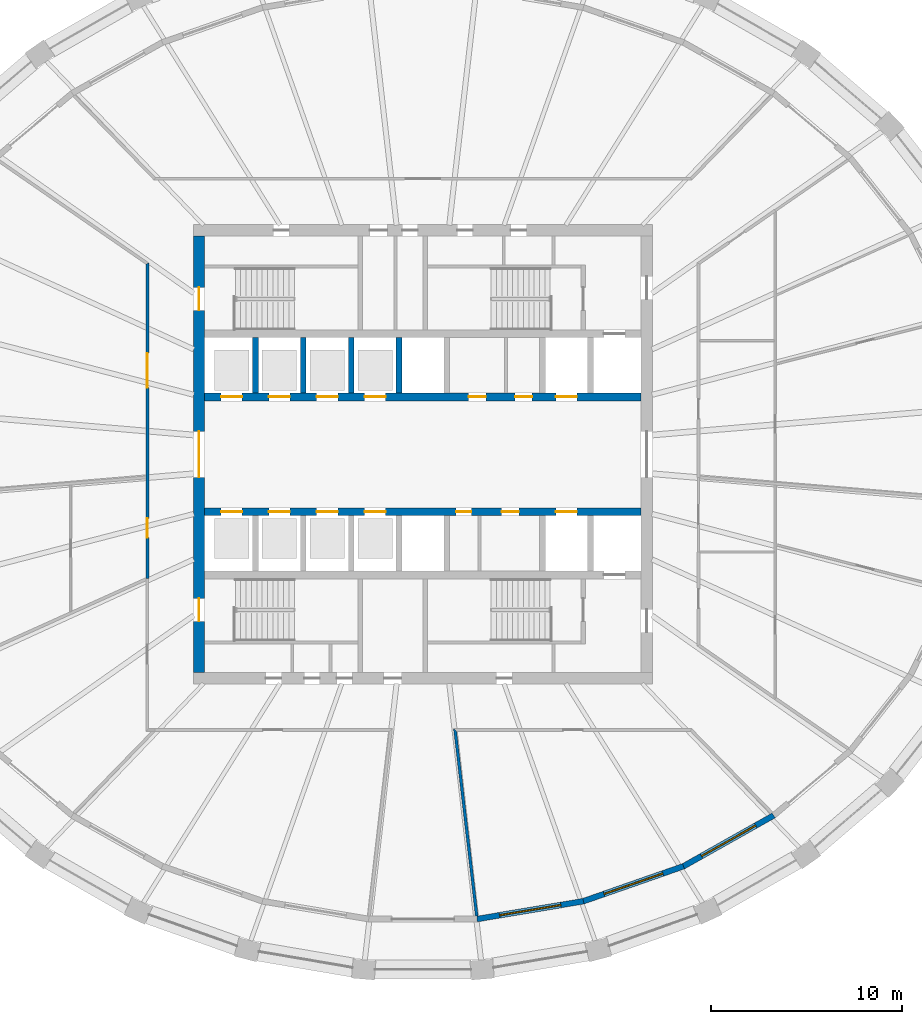
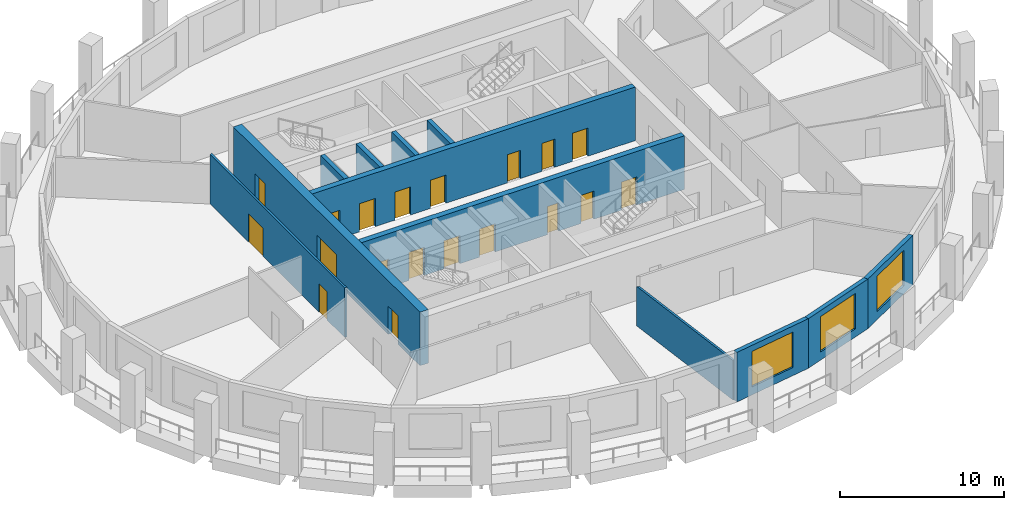
# One storey, part 4 of 11: 19 doors, 12 walls, 3 windows, 22 openings.
"""IFC4 building model written with IfcOpenShell, lengths in metres."""

from ifc_helpers import new_model, si_unit, direction, frame, frame_2d, origin, place, context, subcontext, project, spatial, polyline, rectangle, outline, extrude, material, layer, layer_set, type_object, element, fill, save


model = new_model("IFC4")

# Units and contexts
model_context = context("Model", 3, precision=1e-05, world=origin(), true_north=direction((0.0, 1.0)))
body_context = subcontext(model_context, "Body", "Model", "MODEL_VIEW")
ifc_project = project(units=[si_unit("LENGTHUNIT", "METRE"), si_unit("AREAUNIT", "SQUARE_METRE"), si_unit("VOLUMEUNIT", "CUBIC_METRE"), si_unit("PLANEANGLEUNIT", "RADIAN"), si_unit("MASSUNIT", "GRAM", prefix="KILO")], contexts=[model_context])

# Site, building, storey
site_placement = place(None, origin())
site = spatial("IfcSite", under=ifc_project, at=site_placement, CompositionType="ELEMENT")
building_placement = place(site_placement, origin())
building = spatial("IfcBuilding", under=site, at=building_placement, Name="Halqa Exchange Tower", CompositionType="ELEMENT")
storey_placement = place(building_placement, frame((0.0, 0.0, 226.89990234375)))
storey = spatial("IfcBuildingStorey", under=building, at=storey_placement, Name="L52", CompositionType="ELEMENT", Elevation=226.89990234375)

# Wall, openings, doors
ifc_material_1 = material(Name="Fire-rated gypsum board")
ifc_layer_1 = layer(ifc_material_1, 0.14990234375)
ifc_layer_set_1 = layer_set([ifc_layer_1], Name="Fire-rated gypsum board")
wall_type_1 = type_object("IfcWallType", Name="Fire partition EI 60 150", PredefinedType="PARTITIONING", material=ifc_layer_set_1)
wall_1_placement = place(storey_placement, frame((-14.39990234375, -6.489990234375, 0.0), z_axis=(0.0, 0.0, 1.0), x_axis=(0.0, 1.0, 0.0)))
wall_1 = element("IfcWall", 1, at=wall_1_placement, inside=storey, type_object=wall_type_1, Name="L52-PWL-006", PredefinedType="PARTITIONING", context=body_context, shape_type="SweptSolid", body=[
    extrude(outline(polyline([(16.499267578125, -0.074951171875), (16.499267578125, -0.07470703125), (16.420654296875, 0.074951171875), (14.59619140625, 0.074951171875), (12.771728515625, 0.074951171875), (10.947265625, 0.074951171875), (9.12255859375, 0.074951171875), (7.298095703125, 0.074951171875), (5.4736328125, 0.074951171875), (3.649169921875, 0.074951171875), (1.824462890625, 0.074951171875), (0.0, 0.074951171875), (0.0, -0.074951171875), (1.833251953125, -0.074951171875), (3.66650390625, -0.074951171875), (5.499755859375, -0.074951171875), (7.3330078125, -0.074951171875), (9.166259765625, -0.074951171875), (10.99951171875, -0.074951171875), (12.832763671875, -0.074951171875), (14.666015625, -0.074951171875), (16.499267578125, -0.074951171875)])), origin(), (0.0, 0.0, 1.0), 3.7001953125),
])
opening_1_placement = place(wall_1_placement, frame((9.97509765625, 0.0, 0.0)))
opening_1 = element("IfcOpeningElement", 2, at=opening_1_placement, cuts=wall_1, Name="Opening 16-02", PredefinedType="OPENING", context=body_context, shape_type="SweptSolid", body=[
    extrude(rectangle(XDim=1.800048828125, YDim=2.10009765625, at=frame_2d((0.89990234375, 1.050048828125))), frame((0.0, 0.0869140625, 0.0), z_axis=(0.0, -1.0, 0.0), x_axis=(1.0, 0.0, 0.0)), (0.0, 0.0, 1.0), 0.173828125),
])
opening_2_placement = place(wall_1_placement, frame((2.14501953125, 0.0, 0.0)))
opening_2 = element("IfcOpeningElement", 3, at=opening_2_placement, cuts=wall_1, Name="Opening 16-03", PredefinedType="OPENING", context=body_context, shape_type="SweptSolid", body=[
    extrude(rectangle(XDim=1.0, YDim=2.10009765625, at=frame_2d((0.5, 1.050048828125))), frame((0.0, 0.0869140625, 0.0), z_axis=(0.0, -1.0, 0.0), x_axis=(1.0, 0.0, 0.0)), (0.0, 0.0, 1.0), 0.173828125),
])
ifc_material_2 = material(Name="Steel fire door leaf", Category="steel")
door_type_1 = type_object("IfcDoorType", Name="Fire door FD30S 1000 x 2100", OperationType="SINGLE_SWING_LEFT", PredefinedType="DOOR", material=ifc_material_2)
door_1_placement = place(opening_2_placement, origin())
door_1 = element("IfcDoor", 4, at=door_1_placement, inside=storey, type_object=door_type_1, Name="L52-IDR-003", OperationType="SINGLE_SWING_RIGHT", OverallHeight=2.10009765625, OverallWidth=1.0, PredefinedType="DOOR", context=body_context, shape_type="SweptSolid", body=[
    extrude(rectangle(XDim=1.0, YDim=2.10009765625, at=frame_2d((0.5, 1.050048828125))), frame((0.0, 0.02490234375, 0.0), z_axis=(0.0, -1.0, 0.0), x_axis=(1.0, 0.0, 0.0)), (0.0, 0.0, 1.0), 0.050048828125),
])
fill(opening_2, door_1)
door_type_2 = type_object("IfcDoorType", Name="Fire door FD30S double 1800 x 2100", OperationType="DOUBLE_DOOR_SINGLE_SWING", PredefinedType="DOOR", material=ifc_material_2)
door_2_placement = place(opening_1_placement, origin())
door_2 = element("IfcDoor", 5, at=door_2_placement, inside=storey, type_object=door_type_2, Name="L52-IDR-002", OperationType="DOUBLE_DOOR_SINGLE_SWING", OverallHeight=2.10009765625, OverallWidth=1.800048828125, PredefinedType="DOOR", context=body_context, shape_type="SweptSolid", body=[
    extrude(rectangle(XDim=1.800048828125, YDim=2.10009765625, at=frame_2d((0.89990234375, 1.050048828125))), frame((0.0, 0.02490234375, 0.0), z_axis=(0.0, -1.0, 0.0), x_axis=(1.0, 0.0, 0.0)), (0.0, 0.0, 1.0), 0.050048828125),
])
fill(opening_1, door_2)

# Walls
wall_2_placement = place(storey_placement, frame((1.670166015625, -14.31640625, 0.0), z_axis=(0.0, 0.0, 1.0), x_axis=(0.115875821394, -0.993263708195, 0.0)))
element("IfcWall", 6, at=wall_2_placement, inside=storey, type_object=wall_type_1, Name="L52-PWL-013", PredefinedType="PARTITIONING", context=body_context, shape_type="SweptSolid", body=[
    extrude(outline(polyline([(0.0, -0.074951171875), (1.973876953125, -0.074951171875), (3.947998046875, -0.074951171875), (5.921875, -0.074951171875), (7.895751953125, -0.074951171875), (9.869873046875, -0.074951171875), (9.875, -0.0302734375), (9.875, 0.074951171875), (7.93359375, 0.074951171875), (5.992431640625, 0.074951171875), (4.051025390625, 0.074951171875), (2.109619140625, 0.074951171875), (0.168212890625, 0.074951171875), (0.084228515625, 0.0), (0.0, -0.074951171875), (0.0, -0.074951171875)])), origin(), (0.0, 0.0, 1.0), 2.947021484375),
])
ifc_material_3 = material(Name="Concrete C60/75", Category="concrete")
ifc_layer_2 = layer(ifc_material_3, 0.300048828125)
ifc_layer_set_2 = layer_set([ifc_layer_2], Name="Concrete C60/75")
wall_type_2 = type_object("IfcWallType", Name="RC core wall 300", PredefinedType="SHEAR", material=ifc_layer_set_2)
for number, where, z_axis, x_axis, name in (
    (7, (-8.75, 3.199951171875, 0.0), (0.0, 0.0, 1.0), (0.0, 1.0, 0.0), "Shaft divider N1"),
    (8, (-6.25, 3.199951171875, 0.0), (0.0, 0.0, 1.0), (0.0, 1.0, 0.0), "Shaft divider N2"),
    (9, (-3.75, 3.199951171875, 0.0), (0.0, 0.0, 1.0), (0.0, 1.0, 0.0), "Shaft divider N3"),
    (10, (-1.25, 3.199951171875, 0.0), (0.0, 0.0, 1.0), (0.0, 1.0, 0.0), "Shaft divider N4"),
):
    element("IfcWall", number, at=place(storey_placement, frame(where, z_axis=z_axis, x_axis=x_axis)), inside=storey, type_object=wall_type_2, Name=name, PredefinedType="SHEAR", context=body_context, shape_type="SweptSolid", body=[
        extrude(rectangle(XDim=2.900146484375, YDim=0.300048828125, at=frame_2d((1.4501953125, 0.0))), origin(), (0.0, 0.0, 1.0), 4.0),
    ])

# Wall, openings, doors
ifc_material_4 = material(Name="Concrete C70/85", Category="concrete")
ifc_layer_3 = layer(ifc_material_4, 0.39990234375)
ifc_layer_set_3 = layer_set([ifc_layer_3], Name="Concrete C70/85")
wall_type_3 = type_object("IfcWallType", Name="RC core wall 400 C70/85", PredefinedType="SHEAR", material=ifc_layer_set_3)
wall_3_placement = place(storey_placement, frame((-11.39990234375, 3.0, 0.0), z_axis=(0.0, 0.0, 1.0), x_axis=(1.0, 0.0, 0.0)))
wall_3 = element("IfcWall", 11, at=wall_3_placement, inside=storey, type_object=wall_type_3, Name="Lift row front wall N", PredefinedType="SHEAR", context=body_context, shape_type="SweptSolid", body=[
    extrude(rectangle(XDim=22.7998046875, YDim=0.39990234375, at=frame_2d((11.39990234375, 0.0))), origin(), (0.0, 0.0, 1.0), 4.0),
])
opening_3_placement = place(wall_3_placement, frame((0.85009765625, 0.0, 0.0)))
opening_3 = element("IfcOpeningElement", 12, at=opening_3_placement, cuts=wall_3, Name="Opening LD-HR1-T16", PredefinedType="OPENING", context=body_context, shape_type="SweptSolid", body=[
    extrude(rectangle(XDim=1.10009765625, YDim=2.10009765625, at=frame_2d((0.550048828125, 1.050048828125))), frame((0.0, 0.2119140625, 0.0), z_axis=(0.0, -1.0, 0.0), x_axis=(1.0, 0.0, 0.0)), (0.0, 0.0, 1.0), 0.423828125),
])
opening_4_placement = place(wall_3_placement, frame((3.35009765625, 0.0, 0.0)))
opening_4 = element("IfcOpeningElement", 13, at=opening_4_placement, cuts=wall_3, Name="Opening LD-HR2-T16", PredefinedType="OPENING", context=body_context, shape_type="SweptSolid", body=[
    extrude(rectangle(XDim=1.10009765625, YDim=2.10009765625, at=frame_2d((0.550048828125, 1.050048828125))), frame((0.0, 0.2119140625, 0.0), z_axis=(0.0, -1.0, 0.0), x_axis=(1.0, 0.0, 0.0)), (0.0, 0.0, 1.0), 0.423828125),
])
opening_5_placement = place(wall_3_placement, frame((5.85009765625, 0.0, 0.0)))
opening_5 = element("IfcOpeningElement", 14, at=opening_5_placement, cuts=wall_3, Name="Opening LD-MR1-T16", PredefinedType="OPENING", context=body_context, shape_type="SweptSolid", body=[
    extrude(rectangle(XDim=1.10009765625, YDim=2.10009765625, at=frame_2d((0.550048828125, 1.050048828125))), frame((0.0, 0.2119140625, 0.0), z_axis=(0.0, -1.0, 0.0), x_axis=(1.0, 0.0, 0.0)), (0.0, 0.0, 1.0), 0.423828125),
])
opening_6_placement = place(wall_3_placement, frame((8.35009765625, 0.0, 0.0)))
opening_6 = element("IfcOpeningElement", 15, at=opening_6_placement, cuts=wall_3, Name="Opening LD-MR2-T16", PredefinedType="OPENING", context=body_context, shape_type="SweptSolid", body=[
    extrude(rectangle(XDim=1.10009765625, YDim=2.10009765625, at=frame_2d((0.550048828125, 1.050048828125))), frame((0.0, 0.2119140625, 0.0), z_axis=(0.0, -1.0, 0.0), x_axis=(1.0, 0.0, 0.0)), (0.0, 0.0, 1.0), 0.423828125),
])
opening_7_placement = place(wall_3_placement, frame((18.35009765625, 0.0, 0.0)))
opening_7 = element("IfcOpeningElement", 16, at=opening_7_placement, cuts=wall_3, Name="Opening LD-SV1-T16", PredefinedType="OPENING", context=body_context, shape_type="SweptSolid", body=[
    extrude(rectangle(XDim=1.10009765625, YDim=2.10009765625, at=frame_2d((0.550048828125, 1.050048828125))), frame((0.0, 0.2119140625, 0.0), z_axis=(0.0, -1.0, 0.0), x_axis=(1.0, 0.0, 0.0)), (0.0, 0.0, 1.0), 0.423828125),
])
opening_8_placement = place(wall_3_placement, frame((13.78759765625, 0.0, 0.0)))
opening_8 = element("IfcOpeningElement", 17, at=opening_8_placement, cuts=wall_3, Name="Opening T16-C31", PredefinedType="OPENING", context=body_context, shape_type="SweptSolid", body=[
    extrude(rectangle(XDim=0.89990234375, YDim=2.10009765625, at=frame_2d((0.449951171875, 1.050048828125))), frame((0.0, 0.2119140625, 0.0), z_axis=(0.0, -1.0, 0.0), x_axis=(1.0, 0.0, 0.0)), (0.0, 0.0, 1.0), 0.423828125),
])
opening_9_placement = place(wall_3_placement, frame((16.21240234375, 0.0, 0.0)))
opening_9 = element("IfcOpeningElement", 18, at=opening_9_placement, cuts=wall_3, Name="Opening T16-C32", PredefinedType="OPENING", context=body_context, shape_type="SweptSolid", body=[
    extrude(rectangle(XDim=0.89990234375, YDim=2.10009765625, at=frame_2d((0.449951171875, 1.050048828125))), frame((0.0, 0.2119140625, 0.0), z_axis=(0.0, -1.0, 0.0), x_axis=(1.0, 0.0, 0.0)), (0.0, 0.0, 1.0), 0.423828125),
])
ifc_material_5 = material(Name="Timber fire door leaf", Category="wood")
door_type_3 = type_object("IfcDoorType", Name="Core room door FD30 900 x 2100", OperationType="SINGLE_SWING_LEFT", PredefinedType="DOOR", material=ifc_material_5)
door_3_placement = place(opening_8_placement, origin())
door_3 = element("IfcDoor", 19, at=door_3_placement, inside=storey, type_object=door_type_3, Name="Core room door", OperationType="SINGLE_SWING_RIGHT", OverallHeight=2.10009765625, OverallWidth=0.89990234375, PredefinedType="DOOR", context=body_context, shape_type="SweptSolid", body=[
    extrude(rectangle(XDim=0.89990234375, YDim=2.10009765625, at=frame_2d((0.449951171875, 1.050048828125))), frame((0.0, 0.02490234375, 0.0), z_axis=(0.0, -1.0, 0.0), x_axis=(1.0, 0.0, 0.0)), (0.0, 0.0, 1.0), 0.050048828125),
])
fill(opening_8, door_3)
door_4_placement = place(opening_9_placement, origin())
door_4 = element("IfcDoor", 20, at=door_4_placement, inside=storey, type_object=door_type_3, Name="Core room door", OperationType="SINGLE_SWING_RIGHT", OverallHeight=2.10009765625, OverallWidth=0.89990234375, PredefinedType="DOOR", context=body_context, shape_type="SweptSolid", body=[
    extrude(rectangle(XDim=0.89990234375, YDim=2.10009765625, at=frame_2d((0.449951171875, 1.050048828125))), frame((0.0, 0.02490234375, 0.0), z_axis=(0.0, -1.0, 0.0), x_axis=(1.0, 0.0, 0.0)), (0.0, 0.0, 1.0), 0.050048828125),
])
fill(opening_9, door_4)
ifc_material_6 = material(Name="Stainless steel", Category="steel")
door_type_4 = type_object("IfcDoorType", Name="Lift landing door 1100 x 2100", OperationType="SLIDING_TO_LEFT", PredefinedType="DOOR", material=ifc_material_6)
door_5_placement = place(opening_3_placement, origin())
door_5 = element("IfcDoor", 21, at=door_5_placement, inside=storey, type_object=door_type_4, Name="Lift landing door HR1", OperationType="SLIDING_TO_LEFT", OverallHeight=2.10009765625, OverallWidth=1.10009765625, PredefinedType="DOOR", context=body_context, shape_type="SweptSolid", body=[
    extrude(rectangle(XDim=1.10009765625, YDim=2.10009765625, at=frame_2d((0.550048828125, 1.050048828125))), frame((0.0, 0.02490234375, 0.0), z_axis=(0.0, -1.0, 0.0), x_axis=(1.0, 0.0, 0.0)), (0.0, 0.0, 1.0), 0.050048828125),
])
fill(opening_3, door_5)
door_6_placement = place(opening_4_placement, origin())
door_6 = element("IfcDoor", 22, at=door_6_placement, inside=storey, type_object=door_type_4, Name="Lift landing door HR2", OperationType="SLIDING_TO_LEFT", OverallHeight=2.10009765625, OverallWidth=1.10009765625, PredefinedType="DOOR", context=body_context, shape_type="SweptSolid", body=[
    extrude(rectangle(XDim=1.10009765625, YDim=2.10009765625, at=frame_2d((0.550048828125, 1.050048828125))), frame((0.0, 0.02490234375, 0.0), z_axis=(0.0, -1.0, 0.0), x_axis=(1.0, 0.0, 0.0)), (0.0, 0.0, 1.0), 0.050048828125),
])
fill(opening_4, door_6)
door_7_placement = place(opening_5_placement, origin())
door_7 = element("IfcDoor", 23, at=door_7_placement, inside=storey, type_object=door_type_4, Name="Lift landing door MR1", OperationType="SLIDING_TO_LEFT", OverallHeight=2.10009765625, OverallWidth=1.10009765625, PredefinedType="DOOR", context=body_context, shape_type="SweptSolid", body=[
    extrude(rectangle(XDim=1.10009765625, YDim=2.10009765625, at=frame_2d((0.550048828125, 1.050048828125))), frame((0.0, 0.02490234375, 0.0), z_axis=(0.0, -1.0, 0.0), x_axis=(1.0, 0.0, 0.0)), (0.0, 0.0, 1.0), 0.050048828125),
])
fill(opening_5, door_7)
door_8_placement = place(opening_6_placement, origin())
door_8 = element("IfcDoor", 24, at=door_8_placement, inside=storey, type_object=door_type_4, Name="Lift landing door MR2", OperationType="SLIDING_TO_LEFT", OverallHeight=2.10009765625, OverallWidth=1.10009765625, PredefinedType="DOOR", context=body_context, shape_type="SweptSolid", body=[
    extrude(rectangle(XDim=1.10009765625, YDim=2.10009765625, at=frame_2d((0.550048828125, 1.050048828125))), frame((0.0, 0.02490234375, 0.0), z_axis=(0.0, -1.0, 0.0), x_axis=(1.0, 0.0, 0.0)), (0.0, 0.0, 1.0), 0.050048828125),
])
fill(opening_6, door_8)
door_9_placement = place(opening_7_placement, origin())
door_9 = element("IfcDoor", 25, at=door_9_placement, inside=storey, type_object=door_type_4, Name="Lift landing door SV1", OperationType="SLIDING_TO_LEFT", OverallHeight=2.10009765625, OverallWidth=1.10009765625, PredefinedType="DOOR", context=body_context, shape_type="SweptSolid", body=[
    extrude(rectangle(XDim=1.10009765625, YDim=2.10009765625, at=frame_2d((0.550048828125, 1.050048828125))), frame((0.0, 0.02490234375, 0.0), z_axis=(0.0, -1.0, 0.0), x_axis=(1.0, 0.0, 0.0)), (0.0, 0.0, 1.0), 0.050048828125),
])
fill(opening_7, door_9)

wall_4_placement = place(storey_placement, frame((-11.39990234375, -3.0, 0.0), z_axis=(0.0, 0.0, 1.0), x_axis=(1.0, 0.0, 0.0)))
wall_4 = element("IfcWall", 26, at=wall_4_placement, inside=storey, type_object=wall_type_3, Name="Lift row front wall S", PredefinedType="SHEAR", context=body_context, shape_type="SweptSolid", body=[
    extrude(rectangle(XDim=22.7998046875, YDim=0.39990234375, at=frame_2d((11.39990234375, 0.0))), origin(), (0.0, 0.0, 1.0), 4.0),
])
opening_10_placement = place(wall_4_placement, frame((0.85009765625, 0.0, 0.0)))
opening_10 = element("IfcOpeningElement", 27, at=opening_10_placement, cuts=wall_4, Name="Opening LD-HR3-T16", PredefinedType="OPENING", context=body_context, shape_type="SweptSolid", body=[
    extrude(rectangle(XDim=1.10009765625, YDim=2.10009765625, at=frame_2d((0.550048828125, 1.050048828125))), frame((0.0, 0.2119140625, 0.0), z_axis=(0.0, -1.0, 0.0), x_axis=(1.0, 0.0, 0.0)), (0.0, 0.0, 1.0), 0.423828125),
])
opening_11_placement = place(wall_4_placement, frame((3.35009765625, 0.0, 0.0)))
opening_11 = element("IfcOpeningElement", 28, at=opening_11_placement, cuts=wall_4, Name="Opening LD-HR4-T16", PredefinedType="OPENING", context=body_context, shape_type="SweptSolid", body=[
    extrude(rectangle(XDim=1.10009765625, YDim=2.10009765625, at=frame_2d((0.550048828125, 1.050048828125))), frame((0.0, 0.2119140625, 0.0), z_axis=(0.0, -1.0, 0.0), x_axis=(1.0, 0.0, 0.0)), (0.0, 0.0, 1.0), 0.423828125),
])
opening_12_placement = place(wall_4_placement, frame((5.85009765625, 0.0, 0.0)))
opening_12 = element("IfcOpeningElement", 29, at=opening_12_placement, cuts=wall_4, Name="Opening LD-MR3-T16", PredefinedType="OPENING", context=body_context, shape_type="SweptSolid", body=[
    extrude(rectangle(XDim=1.10009765625, YDim=2.10009765625, at=frame_2d((0.550048828125, 1.050048828125))), frame((0.0, 0.2119140625, 0.0), z_axis=(0.0, -1.0, 0.0), x_axis=(1.0, 0.0, 0.0)), (0.0, 0.0, 1.0), 0.423828125),
])
opening_13_placement = place(wall_4_placement, frame((8.35009765625, 0.0, 0.0)))
opening_13 = element("IfcOpeningElement", 30, at=opening_13_placement, cuts=wall_4, Name="Opening LD-MR4-T16", PredefinedType="OPENING", context=body_context, shape_type="SweptSolid", body=[
    extrude(rectangle(XDim=1.10009765625, YDim=2.10009765625, at=frame_2d((0.550048828125, 1.050048828125))), frame((0.0, 0.2119140625, 0.0), z_axis=(0.0, -1.0, 0.0), x_axis=(1.0, 0.0, 0.0)), (0.0, 0.0, 1.0), 0.423828125),
])
opening_14_placement = place(wall_4_placement, frame((18.35009765625, 0.0, 0.0)))
opening_14 = element("IfcOpeningElement", 31, at=opening_14_placement, cuts=wall_4, Name="Opening LD-SV2-T16", PredefinedType="OPENING", context=body_context, shape_type="SweptSolid", body=[
    extrude(rectangle(XDim=1.10009765625, YDim=2.10009765625, at=frame_2d((0.550048828125, 1.050048828125))), frame((0.0, 0.2119140625, 0.0), z_axis=(0.0, -1.0, 0.0), x_axis=(1.0, 0.0, 0.0)), (0.0, 0.0, 1.0), 0.423828125),
])
opening_15_placement = place(wall_4_placement, frame((13.137451171875, 0.0, 0.0)))
opening_15 = element("IfcOpeningElement", 32, at=opening_15_placement, cuts=wall_4, Name="Opening T16-C33", PredefinedType="OPENING", context=body_context, shape_type="SweptSolid", body=[
    extrude(rectangle(XDim=0.800048828125, YDim=2.10009765625, at=frame_2d((0.39990234375, 1.050048828125))), frame((0.0, 0.2119140625, 0.0), z_axis=(0.0, -1.0, 0.0), x_axis=(1.0, 0.0, 0.0)), (0.0, 0.0, 1.0), 0.423828125),
])
opening_16_placement = place(wall_4_placement, frame((15.512451171875, 0.0, 0.0)))
opening_16 = element("IfcOpeningElement", 33, at=opening_16_placement, cuts=wall_4, Name="Opening T16-C34", PredefinedType="OPENING", context=body_context, shape_type="SweptSolid", body=[
    extrude(rectangle(XDim=0.89990234375, YDim=2.10009765625, at=frame_2d((0.449951171875, 1.050048828125))), frame((0.0, 0.2119140625, 0.0), z_axis=(0.0, -1.0, 0.0), x_axis=(1.0, 0.0, 0.0)), (0.0, 0.0, 1.0), 0.423828125),
])
door_10_placement = place(opening_16_placement, frame((0.89990234375, 0.0, 0.0), z_axis=(0.0, 0.0, 1.0), x_axis=(-1.0, 0.0, 0.0)))
door_10 = element("IfcDoor", 34, at=door_10_placement, inside=storey, type_object=door_type_3, Name="Core room door", OperationType="SINGLE_SWING_RIGHT", OverallHeight=2.10009765625, OverallWidth=0.89990234375, PredefinedType="DOOR", context=body_context, shape_type="SweptSolid", body=[
    extrude(rectangle(XDim=0.89990234375, YDim=2.10009765625, at=frame_2d((0.449951171875, 1.050048828125))), frame((0.0, 0.02490234375, 0.0), z_axis=(0.0, -1.0, 0.0), x_axis=(1.0, 0.0, 0.0)), (0.0, 0.0, 1.0), 0.050048828125),
])
fill(opening_16, door_10)
door_11_placement = place(opening_10_placement, origin())
door_11 = element("IfcDoor", 35, at=door_11_placement, inside=storey, type_object=door_type_4, Name="Lift landing door HR3", OperationType="SLIDING_TO_LEFT", OverallHeight=2.10009765625, OverallWidth=1.10009765625, PredefinedType="DOOR", context=body_context, shape_type="SweptSolid", body=[
    extrude(rectangle(XDim=1.10009765625, YDim=2.10009765625, at=frame_2d((0.550048828125, 1.050048828125))), frame((0.0, 0.02490234375, 0.0), z_axis=(0.0, -1.0, 0.0), x_axis=(1.0, 0.0, 0.0)), (0.0, 0.0, 1.0), 0.050048828125),
])
fill(opening_10, door_11)
door_12_placement = place(opening_11_placement, origin())
door_12 = element("IfcDoor", 36, at=door_12_placement, inside=storey, type_object=door_type_4, Name="Lift landing door HR4", OperationType="SLIDING_TO_LEFT", OverallHeight=2.10009765625, OverallWidth=1.10009765625, PredefinedType="DOOR", context=body_context, shape_type="SweptSolid", body=[
    extrude(rectangle(XDim=1.10009765625, YDim=2.10009765625, at=frame_2d((0.550048828125, 1.050048828125))), frame((0.0, 0.02490234375, 0.0), z_axis=(0.0, -1.0, 0.0), x_axis=(1.0, 0.0, 0.0)), (0.0, 0.0, 1.0), 0.050048828125),
])
fill(opening_11, door_12)
door_13_placement = place(opening_12_placement, origin())
door_13 = element("IfcDoor", 37, at=door_13_placement, inside=storey, type_object=door_type_4, Name="Lift landing door MR3", OperationType="SLIDING_TO_LEFT", OverallHeight=2.10009765625, OverallWidth=1.10009765625, PredefinedType="DOOR", context=body_context, shape_type="SweptSolid", body=[
    extrude(rectangle(XDim=1.10009765625, YDim=2.10009765625, at=frame_2d((0.550048828125, 1.050048828125))), frame((0.0, 0.02490234375, 0.0), z_axis=(0.0, -1.0, 0.0), x_axis=(1.0, 0.0, 0.0)), (0.0, 0.0, 1.0), 0.050048828125),
])
fill(opening_12, door_13)
door_14_placement = place(opening_13_placement, origin())
door_14 = element("IfcDoor", 38, at=door_14_placement, inside=storey, type_object=door_type_4, Name="Lift landing door MR4", OperationType="SLIDING_TO_LEFT", OverallHeight=2.10009765625, OverallWidth=1.10009765625, PredefinedType="DOOR", context=body_context, shape_type="SweptSolid", body=[
    extrude(rectangle(XDim=1.10009765625, YDim=2.10009765625, at=frame_2d((0.550048828125, 1.050048828125))), frame((0.0, 0.02490234375, 0.0), z_axis=(0.0, -1.0, 0.0), x_axis=(1.0, 0.0, 0.0)), (0.0, 0.0, 1.0), 0.050048828125),
])
fill(opening_13, door_14)
door_15_placement = place(opening_14_placement, origin())
door_15 = element("IfcDoor", 39, at=door_15_placement, inside=storey, type_object=door_type_4, Name="Lift landing door SV2", OperationType="SLIDING_TO_LEFT", OverallHeight=2.10009765625, OverallWidth=1.10009765625, PredefinedType="DOOR", context=body_context, shape_type="SweptSolid", body=[
    extrude(rectangle(XDim=1.10009765625, YDim=2.10009765625, at=frame_2d((0.550048828125, 1.050048828125))), frame((0.0, 0.02490234375, 0.0), z_axis=(0.0, -1.0, 0.0), x_axis=(1.0, 0.0, 0.0)), (0.0, 0.0, 1.0), 0.050048828125),
])
fill(opening_14, door_15)
door_type_5 = type_object("IfcDoorType", Name="Riser door FD60 800 x 2100", OperationType="SINGLE_SWING_LEFT", PredefinedType="DOOR", material=ifc_material_2)
door_16_placement = place(opening_15_placement, frame((0.800048828125, 0.0, 0.0), z_axis=(0.0, 0.0, 1.0), x_axis=(-1.0, 0.0, 0.0)))
door_16 = element("IfcDoor", 40, at=door_16_placement, inside=storey, type_object=door_type_5, Name="Core room door", OperationType="SINGLE_SWING_LEFT", OverallHeight=2.10009765625, OverallWidth=0.800048828125, PredefinedType="DOOR", context=body_context, shape_type="SweptSolid", body=[
    extrude(rectangle(XDim=0.800048828125, YDim=2.10009765625, at=frame_2d((0.39990234375, 1.050048828125))), frame((0.0, 0.02490234375, 0.0), z_axis=(0.0, -1.0, 0.0), x_axis=(1.0, 0.0, 0.0)), (0.0, 0.0, 1.0), 0.050048828125),
])
fill(opening_15, door_16)

ifc_layer_4 = layer(ifc_material_4, 0.60009765625)
ifc_layer_set_4 = layer_set([ifc_layer_4], Name="Concrete C70/85")
wall_type_4 = type_object("IfcWallType", Name="RC core wall 600 C70/85", PredefinedType="SHEAR", material=ifc_layer_set_4)
wall_5_placement = place(storey_placement, frame((-11.699951171875, -11.39990234375, 0.0), z_axis=(0.0, 0.0, 1.0), x_axis=(0.0, 1.0, 0.0)))
wall_5 = element("IfcWall", 41, at=wall_5_placement, inside=storey, type_object=wall_type_4, Name="Core wall west", PredefinedType="SHEAR", context=body_context, shape_type="SweptSolid", body=[
    extrude(rectangle(XDim=22.7998046875, YDim=0.60009765625, at=frame_2d((11.39990234375, 0.0))), origin(), (0.0, 0.0, 1.0), 4.0),
])
opening_17_placement = place(wall_5_placement, frame((10.199951171875, 0.0, 0.0)))
opening_17 = element("IfcOpeningElement", 42, at=opening_17_placement, cuts=wall_5, Name="Opening T16-C13", PredefinedType="OPENING", context=body_context, shape_type="SweptSolid", body=[
    extrude(rectangle(XDim=2.39990234375, YDim=2.10009765625, at=frame_2d((1.199951171875, 1.050048828125))), frame((0.0, 0.31201171875, 0.0), z_axis=(0.0, -1.0, 0.0), x_axis=(1.0, 0.0, 0.0)), (0.0, 0.0, 1.0), 0.6240234375),
])
opening_18_placement = place(wall_5_placement, frame((18.925048828125, 0.0, 0.0)))
opening_18 = element("IfcOpeningElement", 43, at=opening_18_placement, cuts=wall_5, Name="Opening T16-C15", PredefinedType="OPENING", context=body_context, shape_type="SweptSolid", body=[
    extrude(rectangle(XDim=1.199951171875, YDim=2.10009765625, at=frame_2d((0.60009765625, 1.050048828125))), frame((0.0, 0.31201171875, 0.0), z_axis=(0.0, -1.0, 0.0), x_axis=(1.0, 0.0, 0.0)), (0.0, 0.0, 1.0), 0.6240234375),
])
opening_19_placement = place(wall_5_placement, frame((2.675048828125, 0.0, 0.0)))
opening_19 = element("IfcOpeningElement", 44, at=opening_19_placement, cuts=wall_5, Name="Opening T16-C17", PredefinedType="OPENING", context=body_context, shape_type="SweptSolid", body=[
    extrude(rectangle(XDim=1.199951171875, YDim=2.10009765625, at=frame_2d((0.60009765625, 1.050048828125))), frame((0.0, 0.31201171875, 0.0), z_axis=(0.0, -1.0, 0.0), x_axis=(1.0, 0.0, 0.0)), (0.0, 0.0, 1.0), 0.6240234375),
])
door_type_6 = type_object("IfcDoorType", Name="Lobby double door FD60 2400 x 2100", OperationType="DOUBLE_DOOR_SINGLE_SWING", PredefinedType="DOOR", material=ifc_material_2)
door_17_placement = place(opening_17_placement, frame((2.39990234375, 0.0, 0.0), z_axis=(0.0, 0.0, 1.0), x_axis=(-1.0, 0.0, 0.0)))
door_17 = element("IfcDoor", 45, at=door_17_placement, inside=storey, type_object=door_type_6, Name="Lift lobby double door", OperationType="DOUBLE_DOOR_SINGLE_SWING", OverallHeight=2.10009765625, OverallWidth=2.39990234375, PredefinedType="DOOR", context=body_context, shape_type="SweptSolid", body=[
    extrude(rectangle(XDim=2.39990234375, YDim=2.10009765625, at=frame_2d((1.199951171875, 1.050048828125))), frame((0.0, 0.02490234375, 0.0), z_axis=(0.0, -1.0, 0.0), x_axis=(1.0, 0.0, 0.0)), (0.0, 0.0, 1.0), 0.050048828125),
])
fill(opening_17, door_17)
door_type_7 = type_object("IfcDoorType", Name="Stair door FD90 1200 x 2100", OperationType="SINGLE_SWING_LEFT", PredefinedType="DOOR", material=ifc_material_2)
door_18_placement = place(opening_18_placement, frame((1.199951171875, 0.0, 0.0), z_axis=(0.0, 0.0, 1.0), x_axis=(-1.0, 0.0, 0.0)))
door_18 = element("IfcDoor", 46, at=door_18_placement, inside=storey, type_object=door_type_7, Name="Stair door ST1", OperationType="SINGLE_SWING_RIGHT", OverallHeight=2.10009765625, OverallWidth=1.199951171875, PredefinedType="DOOR", context=body_context, shape_type="SweptSolid", body=[
    extrude(rectangle(XDim=1.199951171875, YDim=2.10009765625, at=frame_2d((0.60009765625, 1.050048828125))), frame((0.0, 0.02490234375, 0.0), z_axis=(0.0, -1.0, 0.0), x_axis=(1.0, 0.0, 0.0)), (0.0, 0.0, 1.0), 0.050048828125),
])
fill(opening_18, door_18)
door_19_placement = place(opening_19_placement, frame((1.199951171875, 0.0, 0.0), z_axis=(0.0, 0.0, 1.0), x_axis=(-1.0, 0.0, 0.0)))
door_19 = element("IfcDoor", 47, at=door_19_placement, inside=storey, type_object=door_type_7, Name="Stair door ST3", OperationType="SINGLE_SWING_RIGHT", OverallHeight=2.10009765625, OverallWidth=1.199951171875, PredefinedType="DOOR", context=body_context, shape_type="SweptSolid", body=[
    extrude(rectangle(XDim=1.199951171875, YDim=2.10009765625, at=frame_2d((0.60009765625, 1.050048828125))), frame((0.0, 0.02490234375, 0.0), z_axis=(0.0, -1.0, 0.0), x_axis=(1.0, 0.0, 0.0)), (0.0, 0.0, 1.0), 0.050048828125),
])
fill(opening_19, door_19)

# Wall, opening, window
ifc_material_7 = material(Name="Limestone cladding", Category="masonry")
ifc_layer_5 = layer(ifc_material_7, 0.0400390625)
ifc_material_8 = material(Name="Ventilated cavity")
ifc_layer_6 = layer(ifc_material_8, 0.030029296875, ventilated=True)
ifc_material_9 = material(Name="Mineral wool insulation")
ifc_layer_7 = layer(ifc_material_9, 0.10009765625)
ifc_material_10 = material(Name="Concrete C30/37", Category="concrete")
ifc_layer_8 = layer(ifc_material_10, 0.10009765625)
ifc_material_11 = material(Name="Internal plaster")
ifc_layer_9 = layer(ifc_material_11, 0.030029296875)
ifc_layer_set_5 = layer_set([ifc_layer_5, ifc_layer_6, ifc_layer_7, ifc_layer_8, ifc_layer_9], Name="Stone-faced insulated wall 300")
wall_type_5 = type_object("IfcWallType", Name="Stone-faced insulated wall 300", PredefinedType="STANDARD", material=ifc_layer_set_5)
wall_6_placement = place(storey_placement, frame((2.830810546875, -24.2783203125, 0.0), z_axis=(0.0, 0.0, 1.0), x_axis=(0.986223472554, 0.165418445715, 0.0)))
wall_6 = element("IfcWall", 48, at=wall_6_placement, inside=storey, type_object=wall_type_5, Name="Glass-line wall 25", PredefinedType="STANDARD", context=body_context, shape_type="SweptSolid", body=[
    extrude(outline(polyline([(-0.012451171875, -0.14990234375), (5.643310546875, -0.14990234375), (5.617919921875, 0.14990234375), (0.012451171875, 0.14990234375), (-0.012451171875, -0.14990234375)])), origin(), (0.0, 0.0, 1.0), 3.7001953125),
])
opening_20_placement = place(wall_6_placement, frame((1.190185546875, 0.0, 0.60009765625)))
opening_20 = element("IfcOpeningElement", 49, at=opening_20_placement, cuts=wall_6, Name="Opening W-F3-25", PredefinedType="OPENING", context=body_context, shape_type="SweptSolid", body=[
    extrude(rectangle(XDim=3.25, YDim=2.64990234375, at=frame_2d((1.625, 1.324951171875))), frame((0.0, 0.162109375, 0.0), z_axis=(0.0, -1.0, 0.0), x_axis=(1.0, 0.0, 0.0)), (0.0, 0.0, 1.0), 0.323974609375),
])
ifc_material_12 = material(Name="Clear low-emissivity glass in aluminium frame", Category="aluminium")
window_type = type_object("IfcWindowType", Name="Fixed clear glazed window 3250 x 2650", PartitioningType="TRIPLE_PANEL_VERTICAL", PredefinedType="WINDOW", material=ifc_material_12)
window_1_placement = place(opening_20_placement, origin())
window_1 = element("IfcWindow", 50, at=window_1_placement, inside=storey, type_object=window_type, Name="Window 3", OverallHeight=2.64990234375, OverallWidth=3.25, PartitioningType="TRIPLE_PANEL_VERTICAL", PredefinedType="WINDOW", context=body_context, shape_type="SweptSolid", body=[
    extrude(rectangle(XDim=3.25, YDim=2.64990234375, at=frame_2d((1.625, 1.324951171875))), frame((0.0, 0.030029296875, 0.0), z_axis=(0.0, -1.0, 0.0), x_axis=(1.0, 0.0, 0.0)), (0.0, 0.0, 1.0), 0.06005859375),
])
fill(opening_20, window_1)

wall_7_placement = place(storey_placement, frame((8.3837890625, -23.346923828125, 0.0), z_axis=(0.0, 0.0, 1.0), x_axis=(0.944075859918, 0.329728328659, 0.0)))
wall_7 = element("IfcWall", 51, at=wall_7_placement, inside=storey, type_object=wall_type_5, Name="Glass-line wall 26", PredefinedType="STANDARD", context=body_context, shape_type="SweptSolid", body=[
    extrude(outline(polyline([(-0.0126953125, -0.14990234375), (5.5556640625, -0.14990234375), (5.52880859375, 0.14990234375), (0.0126953125, 0.14990234375), (-0.0126953125, -0.14990234375)])), origin(), (0.0, 0.0, 1.0), 3.7001953125),
])
opening_21_placement = place(wall_7_placement, frame((1.14599609375, 0.0, 0.60009765625)))
opening_21 = element("IfcOpeningElement", 52, at=opening_21_placement, cuts=wall_7, Name="Opening W-F3-26", PredefinedType="OPENING", context=body_context, shape_type="SweptSolid", body=[
    extrude(rectangle(XDim=3.25, YDim=2.64990234375, at=frame_2d((1.625, 1.324951171875))), frame((0.0, 0.162109375, 0.0), z_axis=(0.0, -1.0, 0.0), x_axis=(1.0, 0.0, 0.0)), (0.0, 0.0, 1.0), 0.323974609375),
])
window_2_placement = place(opening_21_placement, origin())
window_2 = element("IfcWindow", 53, at=window_2_placement, inside=storey, type_object=window_type, Name="Window 3", OverallHeight=2.64990234375, OverallWidth=3.25, PartitioningType="TRIPLE_PANEL_VERTICAL", PredefinedType="WINDOW", context=body_context, shape_type="SweptSolid", body=[
    extrude(rectangle(XDim=3.25, YDim=2.64990234375, at=frame_2d((1.625, 1.324951171875))), frame((0.0, 0.030029296875, 0.0), z_axis=(0.0, -1.0, 0.0), x_axis=(1.0, 0.0, 0.0)), (0.0, 0.0, 1.0), 0.06005859375),
])
fill(opening_21, window_2)

wall_8_placement = place(storey_placement, frame((13.615966796875, -21.51953125, 0.0), z_axis=(0.0, 0.0, 1.0), x_axis=(0.871225596594, 0.490882837181, 0.0)))
wall_8 = element("IfcWall", 54, at=wall_8_placement, inside=storey, type_object=wall_type_5, Name="Glass-line wall 27", PredefinedType="STANDARD", context=body_context, shape_type="SweptSolid", body=[
    extrude(outline(polyline([(-0.013427734375, -0.14990234375), (5.4208984375, -0.14990234375), (5.392578125, 0.14990234375), (0.013427734375, 0.14990234375), (-0.013427734375, -0.14990234375)])), origin(), (0.0, 0.0, 1.0), 3.7001953125),
])
opening_22_placement = place(wall_8_placement, frame((1.078369140625, 0.0, 0.60009765625)))
opening_22 = element("IfcOpeningElement", 55, at=opening_22_placement, cuts=wall_8, Name="Opening W-F3-27", PredefinedType="OPENING", context=body_context, shape_type="SweptSolid", body=[
    extrude(rectangle(XDim=3.25, YDim=2.64990234375, at=frame_2d((1.625, 1.324951171875))), frame((0.0, 0.162109375, 0.0), z_axis=(0.0, -1.0, 0.0), x_axis=(1.0, 0.0, 0.0)), (0.0, 0.0, 1.0), 0.323974609375),
])
window_3_placement = place(opening_22_placement, origin())
window_3 = element("IfcWindow", 56, at=window_3_placement, inside=storey, type_object=window_type, Name="Window 3", OverallHeight=2.64990234375, OverallWidth=3.25, PartitioningType="TRIPLE_PANEL_VERTICAL", PredefinedType="WINDOW", context=body_context, shape_type="SweptSolid", body=[
    extrude(rectangle(XDim=3.25, YDim=2.64990234375, at=frame_2d((1.625, 1.324951171875))), frame((0.0, 0.030029296875, 0.0), z_axis=(0.0, -1.0, 0.0), x_axis=(1.0, 0.0, 0.0)), (0.0, 0.0, 1.0), 0.06005859375),
])
fill(opening_22, window_3)

save(model, "model.ifc")
